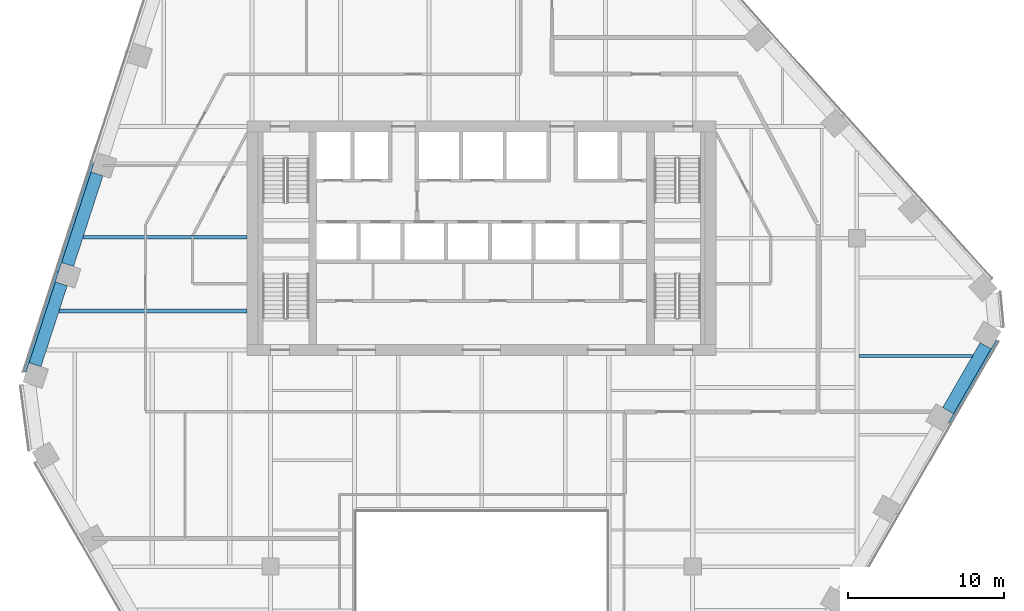
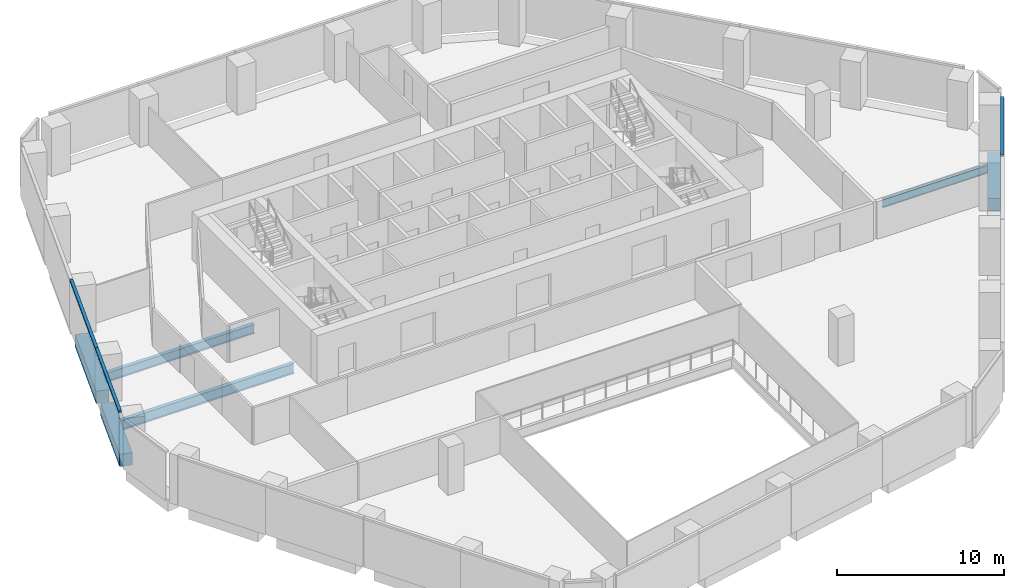
# One storey, part 6 of 16: 6 beams, 3 members, 2 elements without a shape of their own.
"""IFC4 building model written with IfcOpenShell, lengths in metres."""

from ifc_helpers import new_model, si_unit, direction, frame, origin, origin_2d, place, context, subcontext, project, spatial, rectangle, i_section, extrude, material, layer, layer_set, material_profile, profile_set, type_object, element, aggregate, save


model = new_model("IFC4")

# Units and contexts
model_context = context("Model", 3, precision=1e-05, world=origin(), true_north=direction((0.0, 1.0)))
body_context = subcontext(model_context, "Body", "Model", "MODEL_VIEW")
ifc_project = project(units=[si_unit("LENGTHUNIT", "METRE"), si_unit("AREAUNIT", "SQUARE_METRE"), si_unit("VOLUMEUNIT", "CUBIC_METRE"), si_unit("PLANEANGLEUNIT", "RADIAN"), si_unit("MASSUNIT", "GRAM", prefix="KILO")], contexts=[model_context])

# Site, building, storey
site_placement = place(None, origin())
site = spatial("IfcSite", under=ifc_project, at=site_placement, CompositionType="ELEMENT")
building_placement = place(site_placement, origin())
building = spatial("IfcBuilding", under=site, at=building_placement, Name="Isthmus Gate Tower", CompositionType="ELEMENT")
storey_placement = place(building_placement, frame((0.0, 0.0, 170.800048828125)))
storey = spatial("IfcBuildingStorey", under=building, at=storey_placement, Name="L42", CompositionType="ELEMENT", Elevation=170.800048828125)

# Curtain wall, members
ifc_material_1 = material(Name="Aluminium, pale champagne anodised", Category="aluminium")
ifc_layer = layer(ifc_material_1, 0.199951171875)
ifc_layer_set = layer_set([ifc_layer], Name="CW-1 UNITISED CURTAIN WALL 200 DEEP")
curtain_wall_type = type_object("IfcCurtainWallType", Name="CW-1 UNITISED CURTAIN WALL 200 DEEP", PredefinedType="NOTDEFINED", material=ifc_layer_set)
curtain_wall_1_placement = place(storey_placement, origin())
curtain_wall_1 = element("IfcCurtainWall", 1, at=curtain_wall_1_placement, inside=storey, type_object=curtain_wall_type, Name="CW-1 NW L42", PredefinedType="NOTDEFINED")
ifc_material_2 = material(Name="Aluminium, pale champagne anodised", Category="aluminium")
ifc_material_profile_1 = material_profile(ifc_material_2, rectangle(XDim=0.199951171875, YDim=0.139892578125, at=origin_2d()), Name="200x140")
ifc_profile_set_1 = profile_set([ifc_material_profile_1], Name="Aluminium, pale champagne anodised")
member_type = type_object("IfcMemberType", Name="CW-1 TRANSOM 200 X 140", PredefinedType="USERDEFINED", material=ifc_profile_set_1)
member_1_placement = place(storey_placement, frame((-24.896240234375, 12.33056640625, 3.579833984375), z_axis=(-0.309025074527, -0.951053890857, 0.0), x_axis=(0.951053890857, -0.309025074527, 0.0)))
member_1 = element("IfcMember", 2, at=member_1_placement, type_object=member_type, Name="CW-1 transom", ObjectType="TRANSOM", PredefinedType="USERDEFINED", context=body_context, shape_type="SweptSolid", body=[
    extrude(rectangle(XDim=0.199951171875, YDim=0.139892578125, at=origin_2d()), origin(), (0.0, 0.0, 1.0), 7.330810546875),
])
member_2_placement = place(storey_placement, frame((-27.16162109375, 5.358642578125, 3.579833984375), z_axis=(-0.309014822289, -0.951057222046, 0.0), x_axis=(0.951057222046, -0.309014822289, 0.0)))
member_2 = element("IfcMember", 3, at=member_2_placement, type_object=member_type, Name="CW-1 transom", ObjectType="TRANSOM", PredefinedType="USERDEFINED", context=body_context, shape_type="SweptSolid", body=[
    extrude(rectangle(XDim=0.199951171875, YDim=0.139892578125, at=origin_2d()), origin(), (0.0, 0.0, 1.0), 6.74072265625),
])
aggregate(curtain_wall_1, [member_1, member_2])

# Curtain wall, member
curtain_wall_2_placement = place(storey_placement, origin())
curtain_wall_2 = element("IfcCurtainWall", 4, at=curtain_wall_2_placement, inside=storey, type_object=curtain_wall_type, Name="CW-1 SE L42", PredefinedType="NOTDEFINED")
member_3_placement = place(storey_placement, frame((29.941162109375, -4.34033203125, 3.579833984375), z_axis=(0.499991521122, 0.866030299012, 0.0), x_axis=(-0.866030299012, 0.499991521122, 0.0)))
member_3 = element("IfcMember", 5, at=member_3_placement, type_object=member_type, Name="CW-1 transom", ObjectType="TRANSOM", PredefinedType="USERDEFINED", context=body_context, shape_type="SweptSolid", body=[
    extrude(rectangle(XDim=0.199951171875, YDim=0.139892578125, at=origin_2d()), origin(), (0.0, 0.0, 1.0), 6.10009765625),
])
aggregate(curtain_wall_2, [member_3])

# Beams
ifc_material_3 = material(Name="Concrete f'c 60 MPa", Category="concrete")
ifc_material_profile_2 = material_profile(ifc_material_3, rectangle(XDim=0.800048828125, YDim=0.89990234375, at=origin_2d()), Name="RC 800X900")
ifc_profile_set_2 = profile_set([ifc_material_profile_2], Name="Concrete f'c 60 MPa")
beam_type_1 = type_object("IfcBeamType", Name="RC SPANDREL 800 X 900", PredefinedType="SPANDREL", material=ifc_profile_set_2)
beam_1_placement = place(storey_placement, frame((32.2333984375, 0.629638671875, -0.449951171875), z_axis=(-0.500017431331, -0.866015339567, 0.0), x_axis=(0.866015339567, -0.500017431331, 0.0)))
element("IfcBeam", 6, at=beam_1_placement, inside=storey, type_object=beam_type_1, Name="str-spandrel-L42-06", PredefinedType="SPANDREL", context=body_context, shape_type="SweptSolid", body=[
    extrude(rectangle(XDim=0.800048828125, YDim=0.89990234375, at=origin_2d()), origin(), (0.0, 0.0, 1.0), 4.800048828125),
])
beam_2_placement = place(storey_placement, frame((-28.568115234375, -0.588623046875, -0.449951171875), z_axis=(0.308989680586, 0.95106539065, 0.0), x_axis=(-0.95106539065, 0.308989680586, 0.0)))
element("IfcBeam", 7, at=beam_2_placement, inside=storey, type_object=beam_type_1, Name="str-spandrel-L42-21", PredefinedType="SPANDREL", context=body_context, shape_type="SweptSolid", body=[
    extrude(rectangle(XDim=0.800048828125, YDim=0.89990234375, at=origin_2d()), origin(), (0.0, 0.0, 1.0), 5.44091796875),
])
beam_3_placement = place(storey_placement, frame((-26.485107421875, 5.822265625, -0.449951171875), z_axis=(0.309003593002, 0.951060870561, 0.0), x_axis=(-0.951060870561, 0.309003593002, 0.0)))
element("IfcBeam", 8, at=beam_3_placement, inside=storey, type_object=beam_type_1, Name="str-spandrel-L42-22", PredefinedType="SPANDREL", context=body_context, shape_type="SweptSolid", body=[
    extrude(rectangle(XDim=0.800048828125, YDim=0.89990234375, at=origin_2d()), origin(), (0.0, 0.0, 1.0), 6.0908203125),
])
ifc_material_4 = material(Name="Structural steel ASTM A992 Gr 50", Category="steel")
ifc_material_profile_3 = material_profile(ifc_material_4, i_section(OverallWidth=0.177734375, OverallDepth=0.60009765625, WebThickness=0.009521484375, FlangeThickness=0.0126953125, at=origin_2d()), Name="W24X55")
ifc_profile_set_3 = profile_set([ifc_material_profile_3], Name="Structural steel ASTM A992 Gr 50")
beam_type_2 = type_object("IfcBeamType", Name="STEEL FLOOR BEAM W24X55", PredefinedType="JOIST", material=ifc_profile_set_3)
beam_4_placement = place(storey_placement, frame((24.13330078125, -0.037353515625, -0.4501953125), z_axis=(1.0, 0.0, 0.0), x_axis=(0.0, 1.0, 0.0)))
element("IfcBeam", 9, at=beam_4_placement, inside=storey, type_object=beam_type_2, Name="str-beam-L42-16-01", PredefinedType="JOIST", context=body_context, shape_type="SweptSolid", body=[
    extrude(i_section(OverallWidth=0.177734375, OverallDepth=0.60009765625, WebThickness=0.009521484375, FlangeThickness=0.0126953125, at=origin_2d()), origin(), (0.0, 0.0, 1.0), 7.2529296875),
])
ifc_material_5 = material(Name="Structural steel ASTM A992 Gr 50", Category="steel")
ifc_material_profile_4 = material_profile(ifc_material_5, i_section(OverallWidth=0.25390625, OverallDepth=0.679443359375, WebThickness=0.010986328125, FlangeThickness=0.015869140625, at=origin_2d()), Name="W27X84")
ifc_profile_set_4 = profile_set([ifc_material_profile_4], Name="Structural steel ASTM A992 Gr 50")
beam_type_3 = type_object("IfcBeamType", Name="STEEL FLOOR BEAM W27X84", PredefinedType="JOIST", material=ifc_profile_set_4)
beam_5_placement = place(storey_placement, frame((-25.498046875, 7.56591796875, -0.48974609375), z_axis=(1.0, 0.0, 0.0), x_axis=(0.0, 1.0, 0.0)))
element("IfcBeam", 10, at=beam_5_placement, inside=storey, type_object=beam_type_3, Name="str-beam-L42-01-01", PredefinedType="JOIST", context=body_context, shape_type="SweptSolid", body=[
    extrude(i_section(OverallWidth=0.25390625, OverallDepth=0.679443359375, WebThickness=0.010986328125, FlangeThickness=0.015869140625, at=origin_2d()), origin(), (0.0, 0.0, 1.0), 10.498046875),
])
ifc_material_6 = material(Name="Structural steel ASTM A992 Gr 50", Category="steel")
ifc_material_profile_5 = material_profile(ifc_material_6, i_section(OverallWidth=0.263427734375, OverallDepth=0.749267578125, WebThickness=0.0126953125, FlangeThickness=0.015869140625, at=origin_2d()), Name="W30X90")
ifc_profile_set_5 = profile_set([ifc_material_profile_5], Name="Structural steel ASTM A992 Gr 50")
beam_type_4 = type_object("IfcBeamType", Name="STEEL FLOOR BEAM W30X90", PredefinedType="JOIST", material=ifc_profile_set_5)
beam_6_placement = place(storey_placement, frame((-27.03271484375, 2.843017578125, -0.524658203125), z_axis=(1.0, 0.0, 0.0), x_axis=(0.0, 1.0, 0.0)))
element("IfcBeam", 11, at=beam_6_placement, inside=storey, type_object=beam_type_4, Name="str-beam-L42-01-00", PredefinedType="JOIST", context=body_context, shape_type="SweptSolid", body=[
    extrude(i_section(OverallWidth=0.263427734375, OverallDepth=0.749267578125, WebThickness=0.0126953125, FlangeThickness=0.015869140625, at=origin_2d()), origin(), (0.0, 0.0, 1.0), 12.03271484375),
])

save(model, "model.ifc")
